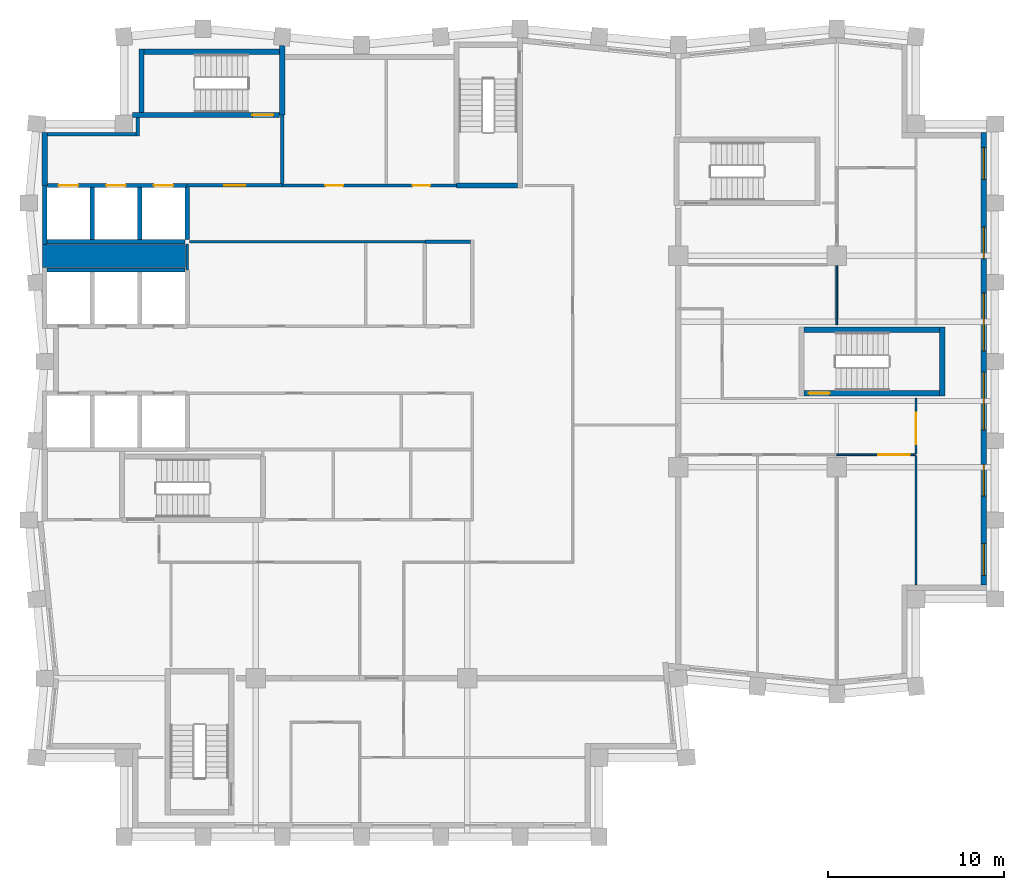
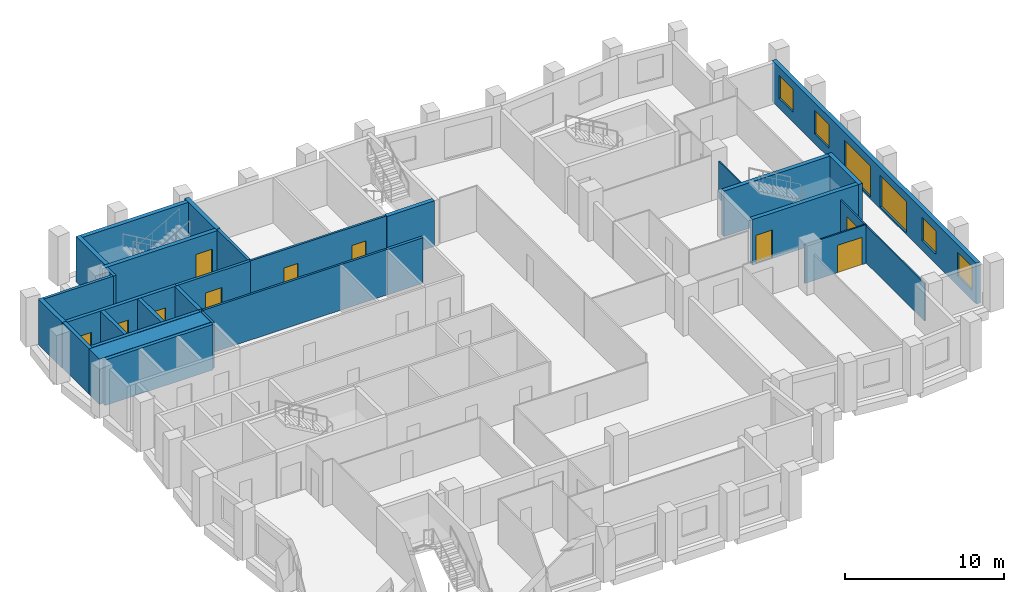
# One storey, part 5 of 8: 30 walls, 10 doors, 6 windows, 16 openings.
"""IFC4 building model written with IfcOpenShell, lengths in metres."""

from ifc_helpers import new_model, si_unit, direction, frame, frame_2d, origin, place, context, subcontext, project, spatial, rectangle, extrude, material, layer, layer_set, type_object, element, fill, save


model = new_model("IFC4")

# Units and contexts
model_context = context("Model", 3, precision=1e-05, world=origin(), true_north=direction((0.0, 1.0)))
body_context = subcontext(model_context, "Body", "Model", "MODEL_VIEW")
ifc_project = project(units=[si_unit("LENGTHUNIT", "METRE"), si_unit("AREAUNIT", "SQUARE_METRE"), si_unit("VOLUMEUNIT", "CUBIC_METRE"), si_unit("PLANEANGLEUNIT", "RADIAN"), si_unit("MASSUNIT", "GRAM", prefix="KILO")], contexts=[model_context])

# Site, building, storey
site_placement = place(None, origin())
site = spatial("IfcSite", under=ifc_project, at=site_placement, CompositionType="ELEMENT")
building_placement = place(site_placement, origin())
building = spatial("IfcBuilding", under=site, at=building_placement, Name="Brondeck Convention Tower", CompositionType="ELEMENT")
storey_placement = place(building_placement, frame((0.0, 0.0, 214.0)))
storey = spatial("IfcBuildingStorey", under=building, at=storey_placement, Name="L52", CompositionType="ELEMENT", Elevation=214.0)

# Walls
ifc_material_1 = material(Name="Concrete C50/60", Category="concrete")
ifc_layer_1 = layer(ifc_material_1, 0.300048828125)
ifc_layer_set_1 = layer_set([ifc_layer_1], Name="Core outer wall 300 Concrete C50/60")
wall_type_1 = type_object("IfcWallType", Name="Core outer wall 300 Concrete C50/60", PredefinedType="SHEAR", material=ifc_layer_set_1)
wall_1_placement = place(storey_placement, frame((0.0, 55.0, 0.0), z_axis=(0.0, 0.0, 1.0), x_axis=(0.0, 1.0, 0.0)))
element("IfcWall", 1, at=wall_1_placement, inside=storey, type_object=wall_type_1, Name="L52 core wall", PredefinedType="SHEAR", context=body_context, shape_type="SweptSolid", body=[
    extrude(rectangle(XDim=3.0, YDim=0.300048828125, at=frame_2d((1.5, 0.0))), origin(), (0.0, 0.0, 1.0), 3.5),
])
ifc_material_2 = material(Name="Fire-rated gypsum board partition")
ifc_layer_2 = layer(ifc_material_2, 0.14990234375)
ifc_layer_set_2 = layer_set([ifc_layer_2], Name="Core partition 150 EI 60")
wall_type_2 = type_object("IfcWallType", Name="Core partition 150 EI 60", PredefinedType="PARTITIONING", material=ifc_layer_set_2)
wall_2_placement = place(storey_placement, frame((8.22509765625, 51.800048828125, 0.0), z_axis=(0.0, 0.0, 1.0), x_axis=(1.0, 0.0, 0.0)))
element("IfcWall", 2, at=wall_2_placement, inside=storey, type_object=wall_type_2, Name="L52 core wall", PredefinedType="PARTITIONING", context=body_context, shape_type="SweptSolid", body=[
    extrude(rectangle(XDim=13.375, YDim=0.14990234375, at=frame_2d((6.6875, 0.0))), origin(), (0.0, 0.0, 1.0), 3.5),
])

# Wall, openings, doors
wall_3_placement = place(storey_placement, frame((13.5, 55.0, 0.0), z_axis=(0.0, 0.0, 1.0), x_axis=(1.0, 0.0, 0.0)))
wall_3 = element("IfcWall", 3, at=wall_3_placement, inside=storey, type_object=wall_type_2, Name="L52 core wall", PredefinedType="PARTITIONING", context=body_context, shape_type="SweptSolid", body=[
    extrude(rectangle(XDim=9.89990234375, YDim=0.14990234375, at=frame_2d((4.949951171875, 0.0))), origin(), (0.0, 0.0, 1.0), 3.5),
])
opening_1_placement = place(wall_3_placement, frame((2.449951171875, 0.0, 0.0)))
opening_1 = element("IfcOpeningElement", 4, at=opening_1_placement, cuts=wall_3, Name="Opening C29-11", PredefinedType="OPENING", context=body_context, shape_type="SweptSolid", body=[
    extrude(rectangle(XDim=1.0, YDim=2.10009765625, at=frame_2d((0.5, 1.050048828125))), frame((0.0, 0.0849609375, 0.0), z_axis=(0.0, -1.0, 0.0), x_axis=(1.0, 0.0, 0.0)), (0.0, 0.0, 1.0), 0.169921875),
])
opening_2_placement = place(wall_3_placement, frame((7.39990234375, 0.0, 0.0)))
opening_2 = element("IfcOpeningElement", 5, at=opening_2_placement, cuts=wall_3, Name="Opening C29-12", PredefinedType="OPENING", context=body_context, shape_type="SweptSolid", body=[
    extrude(rectangle(XDim=1.0, YDim=2.10009765625, at=frame_2d((0.5, 1.050048828125))), frame((0.0, 0.0849609375, 0.0), z_axis=(0.0, -1.0, 0.0), x_axis=(1.0, 0.0, 0.0)), (0.0, 0.0, 1.0), 0.169921875),
])
ifc_material_3 = material(Name="Steel fire door", Category="steel")
door_type_1 = type_object("IfcDoorType", Name="Room door 1000x2100 EI 60", OperationType="NOTDEFINED", PredefinedType="DOOR", material=ifc_material_3)
door_1_placement = place(opening_1_placement, origin())
door_1 = element("IfcDoor", 6, at=door_1_placement, inside=storey, type_object=door_type_1, Name="L52 Room door NE-1", OperationType="SINGLE_SWING_LEFT", OverallHeight=2.10009765625, OverallWidth=1.0, PredefinedType="DOOR", context=body_context, shape_type="SweptSolid", body=[
    extrude(rectangle(XDim=1.0, YDim=2.10009765625, at=frame_2d((0.5, 1.050048828125))), frame((0.0, 0.02490234375, 0.0), z_axis=(0.0, -1.0, 0.0), x_axis=(1.0, 0.0, 0.0)), (0.0, 0.0, 1.0), 0.050048828125),
])
fill(opening_1, door_1)
door_2_placement = place(opening_2_placement, origin())
door_2 = element("IfcDoor", 7, at=door_2_placement, inside=storey, type_object=door_type_1, Name="L52 Room door NE-2", OperationType="SINGLE_SWING_RIGHT", OverallHeight=2.10009765625, OverallWidth=1.0, PredefinedType="DOOR", context=body_context, shape_type="SweptSolid", body=[
    extrude(rectangle(XDim=1.0, YDim=2.10009765625, at=frame_2d((0.5, 1.050048828125))), frame((0.0, 0.02490234375, 0.0), z_axis=(0.0, -1.0, 0.0), x_axis=(1.0, 0.0, 0.0)), (0.0, 0.0, 1.0), 0.050048828125),
])
fill(opening_2, door_2)

# Walls
wall_4_placement = place(storey_placement, frame((8.10009765625, 50.199951171875, 0.0), z_axis=(0.0, 0.0, 1.0), x_axis=(0.0, 1.0, 0.0)))
element("IfcWall", 8, at=wall_4_placement, inside=storey, type_object=wall_type_2, Name="L52 core wall", PredefinedType="PARTITIONING", context=body_context, shape_type="SweptSolid", body=[
    extrude(rectangle(XDim=1.47509765625, YDim=0.14990234375, at=frame_2d((0.737548828125, 0.0))), origin(), (0.0, 0.0, 1.0), 3.5),
])
ifc_layer_3 = layer(ifc_material_1, 1.300048828125)
ifc_layer_set_3 = layer_set([ifc_layer_3], Name="Core shear wall 1300 Concrete C50/60")
wall_type_3 = type_object("IfcWallType", Name="Core shear wall 1300 Concrete C50/60", PredefinedType="SHEAR", material=ifc_layer_set_3)
wall_5_placement = place(storey_placement, frame((-0.125, 51.0, 0.0), z_axis=(0.0, 0.0, 1.0), x_axis=(1.0, 0.0, 0.0)))
element("IfcWall", 9, at=wall_5_placement, inside=storey, type_object=wall_type_3, Name="L52 core wall", PredefinedType="SHEAR", context=body_context, shape_type="SweptSolid", body=[
    extrude(rectangle(XDim=8.125, YDim=1.300048828125, at=frame_2d((4.0625, 0.0))), origin(), (0.0, 0.0, 1.0), 3.5),
])

# Wall, openings, windows
ifc_material_4 = material(Name="Precast concrete C50/60 bronze finish", Category="concrete")
ifc_layer_4 = layer(ifc_material_4, 0.070068359375, Name="Bronze precast facing")
ifc_material_5 = material(Name="Mineral wool")
ifc_layer_5 = layer(ifc_material_5, 0.159912109375, Name="Insulation")
ifc_material_6 = material(Name="Concrete C35/45", Category="concrete")
ifc_layer_6 = layer(ifc_material_6, 0.070068359375, Name="Backing")
ifc_layer_set_4 = layer_set([ifc_layer_4, ifc_layer_5, ifc_layer_6], Name="External infill wall, precast concrete C50/60 bronze facing")
wall_type_4 = type_object("IfcWallType", Name="External infill wall, precast concrete C50/60 bronze facing", PredefinedType="SOLIDWALL", material=ifc_layer_set_4)
wall_6_placement = place(storey_placement, frame((53.35009765625, 58.0, 0.0), z_axis=(0.0, 0.0, 1.0), x_axis=(0.0, -1.0, 0.0)))
wall_6 = element("IfcWall", 10, at=wall_6_placement, inside=storey, type_object=wall_type_4, Name="ENV-EW-L52-P2-A-E54-01", PredefinedType="SOLIDWALL", context=body_context, shape_type="SweptSolid", body=[
    extrude(rectangle(XDim=25.701904296875, YDim=0.300048828125, at=frame_2d((12.85107421875, 0.0))), origin(), (0.0, 0.0, 1.0), 3.14990234375),
])
opening_3_placement = place(wall_6_placement, frame((0.85009765625, 0.0, 0.75)))
opening_3 = element("IfcOpeningElement", 11, at=opening_3_placement, cuts=wall_6, Name="Opening W10", PredefinedType="OPENING", context=body_context, shape_type="SweptSolid", body=[
    extrude(rectangle(XDim=1.800048828125, YDim=1.800048828125, at=frame_2d((0.89990234375, 0.89990234375))), frame((0.0, 0.159912109375, 0.0), z_axis=(0.0, -1.0, 0.0), x_axis=(1.0, 0.0, 0.0)), (0.0, 0.0, 1.0), 0.320068359375),
])
opening_4_placement = place(wall_6_placement, frame((5.35009765625, 0.0, 0.75)))
opening_4 = element("IfcOpeningElement", 12, at=opening_4_placement, cuts=wall_6, Name="Opening W10", PredefinedType="OPENING", context=body_context, shape_type="SweptSolid", body=[
    extrude(rectangle(XDim=1.800048828125, YDim=1.800048828125, at=frame_2d((0.89990234375, 0.89990234375))), frame((0.0, 0.159912109375, 0.0), z_axis=(0.0, -1.0, 0.0), x_axis=(1.0, 0.0, 0.0)), (0.0, 0.0, 1.0), 0.320068359375),
])
opening_5_placement = place(wall_6_placement, frame((9.10009765625, 0.0, 0.14990234375)))
opening_5 = element("IfcOpeningElement", 13, at=opening_5_placement, cuts=wall_6, Name="Opening W9", PredefinedType="OPENING", context=body_context, shape_type="SweptSolid", body=[
    extrude(rectangle(XDim=3.300048828125, YDim=2.39990234375, at=frame_2d((1.64990234375, 1.199951171875))), frame((0.0, 0.159912109375, 0.0), z_axis=(0.0, -1.0, 0.0), x_axis=(1.0, 0.0, 0.0)), (0.0, 0.0, 1.0), 0.320068359375),
])
opening_6_placement = place(wall_6_placement, frame((13.60009765625, 0.0, 0.14990234375)))
opening_6 = element("IfcOpeningElement", 14, at=opening_6_placement, cuts=wall_6, Name="Opening W9", PredefinedType="OPENING", context=body_context, shape_type="SweptSolid", body=[
    extrude(rectangle(XDim=3.300048828125, YDim=2.39990234375, at=frame_2d((1.64990234375, 1.199951171875))), frame((0.0, 0.159912109375, 0.0), z_axis=(0.0, -1.0, 0.0), x_axis=(1.0, 0.0, 0.0)), (0.0, 0.0, 1.0), 0.320068359375),
])
opening_7_placement = place(wall_6_placement, frame((18.85009765625, 0.0, 0.75)))
opening_7 = element("IfcOpeningElement", 15, at=opening_7_placement, cuts=wall_6, Name="Opening W10", PredefinedType="OPENING", context=body_context, shape_type="SweptSolid", body=[
    extrude(rectangle(XDim=1.800048828125, YDim=1.800048828125, at=frame_2d((0.89990234375, 0.89990234375))), frame((0.0, 0.159912109375, 0.0), z_axis=(0.0, -1.0, 0.0), x_axis=(1.0, 0.0, 0.0)), (0.0, 0.0, 1.0), 0.320068359375),
])
opening_8_placement = place(wall_6_placement, frame((23.35009765625, 0.0, 0.75)))
opening_8 = element("IfcOpeningElement", 16, at=opening_8_placement, cuts=wall_6, Name="Opening W10", PredefinedType="OPENING", context=body_context, shape_type="SweptSolid", body=[
    extrude(rectangle(XDim=1.800048828125, YDim=1.800048828125, at=frame_2d((0.89990234375, 0.89990234375))), frame((0.0, 0.159912109375, 0.0), z_axis=(0.0, -1.0, 0.0), x_axis=(1.0, 0.0, 0.0)), (0.0, 0.0, 1.0), 0.320068359375),
])
ifc_material_7 = material(Name="Bronze tinted double glazing", Category="glass")
window_type_1 = type_object("IfcWindowType", Name="Glazed flute window, bronze tinted", PartitioningType="SINGLE_PANEL", PredefinedType="WINDOW", material=ifc_material_7)
window_1_placement = place(opening_5_placement, origin())
window_1 = element("IfcWindow", 17, at=window_1_placement, inside=storey, type_object=window_type_1, Name="ENV-WN-L52-P2-A-E54-04", OverallHeight=2.39990234375, OverallWidth=3.300048828125, PartitioningType="SINGLE_PANEL", PredefinedType="WINDOW", context=body_context, shape_type="SweptSolid", body=[
    extrude(rectangle(XDim=3.300048828125, YDim=2.39990234375, at=frame_2d((1.64990234375, 1.199951171875))), frame((0.0, 0.030029296875, 0.0), z_axis=(0.0, -1.0, 0.0), x_axis=(1.0, 0.0, 0.0)), (0.0, 0.0, 1.0), 0.06005859375),
])
fill(opening_5, window_1)
window_2_placement = place(opening_6_placement, origin())
window_2 = element("IfcWindow", 18, at=window_2_placement, inside=storey, type_object=window_type_1, Name="ENV-WN-L52-P2-A-E54-03", OverallHeight=2.39990234375, OverallWidth=3.300048828125, PartitioningType="SINGLE_PANEL", PredefinedType="WINDOW", context=body_context, shape_type="SweptSolid", body=[
    extrude(rectangle(XDim=3.300048828125, YDim=2.39990234375, at=frame_2d((1.64990234375, 1.199951171875))), frame((0.0, 0.030029296875, 0.0), z_axis=(0.0, -1.0, 0.0), x_axis=(1.0, 0.0, 0.0)), (0.0, 0.0, 1.0), 0.06005859375),
])
fill(opening_6, window_2)
window_type_2 = type_object("IfcWindowType", Name="Punched window, bronze tinted", PartitioningType="SINGLE_PANEL", PredefinedType="WINDOW", material=ifc_material_7)
window_3_placement = place(opening_3_placement, origin())
window_3 = element("IfcWindow", 19, at=window_3_placement, inside=storey, type_object=window_type_2, Name="ENV-WN-L52-P2-A-E54-06", OverallHeight=1.800048828125, OverallWidth=1.800048828125, PartitioningType="SINGLE_PANEL", PredefinedType="WINDOW", context=body_context, shape_type="SweptSolid", body=[
    extrude(rectangle(XDim=1.800048828125, YDim=1.800048828125, at=frame_2d((0.89990234375, 0.89990234375))), frame((0.0, 0.030029296875, 0.0), z_axis=(0.0, -1.0, 0.0), x_axis=(1.0, 0.0, 0.0)), (0.0, 0.0, 1.0), 0.06005859375),
])
fill(opening_3, window_3)
window_4_placement = place(opening_4_placement, origin())
window_4 = element("IfcWindow", 20, at=window_4_placement, inside=storey, type_object=window_type_2, Name="ENV-WN-L52-P2-A-E54-05", OverallHeight=1.800048828125, OverallWidth=1.800048828125, PartitioningType="SINGLE_PANEL", PredefinedType="WINDOW", context=body_context, shape_type="SweptSolid", body=[
    extrude(rectangle(XDim=1.800048828125, YDim=1.800048828125, at=frame_2d((0.89990234375, 0.89990234375))), frame((0.0, 0.030029296875, 0.0), z_axis=(0.0, -1.0, 0.0), x_axis=(1.0, 0.0, 0.0)), (0.0, 0.0, 1.0), 0.06005859375),
])
fill(opening_4, window_4)
window_5_placement = place(opening_7_placement, origin())
window_5 = element("IfcWindow", 21, at=window_5_placement, inside=storey, type_object=window_type_2, Name="ENV-WN-L52-P2-A-E54-02", OverallHeight=1.800048828125, OverallWidth=1.800048828125, PartitioningType="SINGLE_PANEL", PredefinedType="WINDOW", context=body_context, shape_type="SweptSolid", body=[
    extrude(rectangle(XDim=1.800048828125, YDim=1.800048828125, at=frame_2d((0.89990234375, 0.89990234375))), frame((0.0, 0.030029296875, 0.0), z_axis=(0.0, -1.0, 0.0), x_axis=(1.0, 0.0, 0.0)), (0.0, 0.0, 1.0), 0.06005859375),
])
fill(opening_7, window_5)
window_6_placement = place(opening_8_placement, origin())
window_6 = element("IfcWindow", 22, at=window_6_placement, inside=storey, type_object=window_type_2, Name="ENV-WN-L52-P2-A-E54-01", OverallHeight=1.800048828125, OverallWidth=1.800048828125, PartitioningType="SINGLE_PANEL", PredefinedType="WINDOW", context=body_context, shape_type="SweptSolid", body=[
    extrude(rectangle(XDim=1.800048828125, YDim=1.800048828125, at=frame_2d((0.89990234375, 0.89990234375))), frame((0.0, 0.030029296875, 0.0), z_axis=(0.0, -1.0, 0.0), x_axis=(1.0, 0.0, 0.0)), (0.0, 0.0, 1.0), 0.06005859375),
])
fill(opening_8, window_6)

# Wall, opening, door
ifc_layer_7 = layer(ifc_material_2, 0.199951171875)
ifc_layer_set_5 = layer_set([ifc_layer_7], Name="Firefighting lobby wall 200 EI 120")
wall_type_5 = type_object("IfcWallType", Name="Firefighting lobby wall 200 EI 120", PredefinedType="PARTITIONING", material=ifc_layer_set_5)
wall_7_placement = place(storey_placement, frame((8.10009765625, 55.0, 0.0), z_axis=(0.0, 0.0, 1.0), x_axis=(1.0, 0.0, 0.0)))
wall_7 = element("IfcWall", 23, at=wall_7_placement, inside=storey, type_object=wall_type_5, Name="L52 core wall", PredefinedType="PARTITIONING", context=body_context, shape_type="SweptSolid", body=[
    extrude(rectangle(XDim=5.39990234375, YDim=0.199951171875, at=frame_2d((2.699951171875, 0.0))), origin(), (0.0, 0.0, 1.0), 3.5),
])
opening_9_placement = place(wall_7_placement, frame((2.10009765625, 0.0, 0.0)))
opening_9 = element("IfcOpeningElement", 24, at=opening_9_placement, cuts=wall_7, Name="Opening C29-01", PredefinedType="OPENING", context=body_context, shape_type="SweptSolid", body=[
    extrude(rectangle(XDim=1.199951171875, YDim=2.199951171875, at=frame_2d((0.60009765625, 1.10009765625))), frame((0.0, 0.10986328125, 0.0), z_axis=(0.0, -1.0, 0.0), x_axis=(1.0, 0.0, 0.0)), (0.0, 0.0, 1.0), 0.219970703125),
])
door_type_2 = type_object("IfcDoorType", Name="Firefighting lobby door 1200x2200 EI 120", OperationType="NOTDEFINED", PredefinedType="DOOR", material=ifc_material_3)
door_3_placement = place(opening_9_placement, origin())
door_3 = element("IfcDoor", 25, at=door_3_placement, inside=storey, type_object=door_type_2, Name="L52 Firefighting lobby door FFL-1", OperationType="SINGLE_SWING_RIGHT", OverallHeight=2.199951171875, OverallWidth=1.199951171875, PredefinedType="DOOR", context=body_context, shape_type="SweptSolid", body=[
    extrude(rectangle(XDim=1.199951171875, YDim=2.199951171875, at=frame_2d((0.60009765625, 1.10009765625))), frame((0.0, 0.02490234375, 0.0), z_axis=(0.0, -1.0, 0.0), x_axis=(1.0, 0.0, 0.0)), (0.0, 0.0, 1.0), 0.050048828125),
])
fill(opening_9, door_3)

# Walls
wall_8_placement = place(storey_placement, frame((0.14990234375, 57.89990234375, 0.0), z_axis=(0.0, 0.0, 1.0), x_axis=(1.0, 0.0, 0.0)))
element("IfcWall", 26, at=wall_8_placement, inside=storey, type_object=wall_type_5, Name="L52 core wall", PredefinedType="PARTITIONING", context=body_context, shape_type="SweptSolid", body=[
    extrude(rectangle(XDim=5.050048828125, YDim=0.199951171875, at=frame_2d((2.52490234375, 0.0))), origin(), (0.0, 0.0, 1.0), 3.5),
])
wall_9_placement = place(storey_placement, frame((5.300048828125, 57.800048828125, 0.0), z_axis=(0.0, 0.0, 1.0), x_axis=(0.0, 1.0, 0.0)))
element("IfcWall", 27, at=wall_9_placement, inside=storey, type_object=wall_type_5, Name="L52 core wall", PredefinedType="PARTITIONING", context=body_context, shape_type="SweptSolid", body=[
    extrude(rectangle(XDim=1.050048828125, YDim=0.199951171875, at=frame_2d((0.52490234375, 0.0))), origin(), (0.0, 0.0, 1.0), 3.5),
])
wall_10_placement = place(storey_placement, frame((13.5, 55.10009765625, 0.0), z_axis=(0.0, 0.0, 1.0), x_axis=(0.0, 1.0, 0.0)))
element("IfcWall", 28, at=wall_10_placement, inside=storey, type_object=wall_type_5, Name="L52 core wall", PredefinedType="PARTITIONING", context=body_context, shape_type="SweptSolid", body=[
    extrude(rectangle(XDim=3.89990234375, YDim=0.199951171875, at=frame_2d((1.949951171875, 0.0))), origin(), (0.0, 0.0, 1.0), 3.5),
])
ifc_layer_8 = layer(ifc_material_1, 0.25)
ifc_layer_set_6 = layer_set([ifc_layer_8], Name="Lift shaft wall 250 Concrete C50/60")
wall_type_6 = type_object("IfcWallType", Name="Lift shaft wall 250 Concrete C50/60", PredefinedType="SHEAR", material=ifc_layer_set_6)
for number, where, z_axis, x_axis, name in (
    (29, (0.125, 50.199951171875, 0.0), (0.0, 0.0, 1.0), (1.0, 0.0, 0.0), "L52 core wall"),
    (30, (0.125, 51.800048828125, 0.0), (0.0, 0.0, 1.0), (1.0, 0.0, 0.0), "L52 core wall"),
):
    element("IfcWall", number, at=place(storey_placement, frame(where, z_axis=z_axis, x_axis=x_axis)), inside=storey, type_object=wall_type_6, Name=name, PredefinedType="SHEAR", context=body_context, shape_type="SweptSolid", body=[
        extrude(rectangle(XDim=7.85009765625, YDim=0.25, at=frame_2d((3.925048828125, 0.0))), origin(), (0.0, 0.0, 1.0), 3.5),
    ])

# Wall, openings, doors
wall_11_placement = place(storey_placement, frame((0.14990234375, 55.0, 0.0), z_axis=(0.0, 0.0, 1.0), x_axis=(1.0, 0.0, 0.0)))
wall_11 = element("IfcWall", 31, at=wall_11_placement, inside=storey, type_object=wall_type_6, Name="L52 core wall", PredefinedType="SHEAR", context=body_context, shape_type="SweptSolid", body=[
    extrude(rectangle(XDim=7.9501953125, YDim=0.25, at=frame_2d((3.97509765625, 0.0))), origin(), (0.0, 0.0, 1.0), 3.5),
])
opening_10_placement = place(wall_11_placement, frame((0.64990234375, 0.0, 0.0)))
opening_10 = element("IfcOpeningElement", 32, at=opening_10_placement, cuts=wall_11, Name="Opening C29-19", PredefinedType="OPENING", context=body_context, shape_type="SweptSolid", body=[
    extrude(rectangle(XDim=1.10009765625, YDim=2.10009765625, at=frame_2d((0.550048828125, 1.050048828125))), frame((0.0, 0.135009765625, 0.0), z_axis=(0.0, -1.0, 0.0), x_axis=(1.0, 0.0, 0.0)), (0.0, 0.0, 1.0), 0.27001953125),
])
opening_11_placement = place(wall_11_placement, frame((3.35009765625, 0.0, 0.0)))
opening_11 = element("IfcOpeningElement", 33, at=opening_11_placement, cuts=wall_11, Name="Opening C29-20", PredefinedType="OPENING", context=body_context, shape_type="SweptSolid", body=[
    extrude(rectangle(XDim=1.10009765625, YDim=2.10009765625, at=frame_2d((0.550048828125, 1.050048828125))), frame((0.0, 0.135009765625, 0.0), z_axis=(0.0, -1.0, 0.0), x_axis=(1.0, 0.0, 0.0)), (0.0, 0.0, 1.0), 0.27001953125),
])
opening_12_placement = place(wall_11_placement, frame((6.050048828125, 0.0, 0.0)))
opening_12 = element("IfcOpeningElement", 34, at=opening_12_placement, cuts=wall_11, Name="Opening C29-21", PredefinedType="OPENING", context=body_context, shape_type="SweptSolid", body=[
    extrude(rectangle(XDim=1.10009765625, YDim=2.10009765625, at=frame_2d((0.550048828125, 1.050048828125))), frame((0.0, 0.135009765625, 0.0), z_axis=(0.0, -1.0, 0.0), x_axis=(1.0, 0.0, 0.0)), (0.0, 0.0, 1.0), 0.27001953125),
])
ifc_material_8 = material(Name="Stainless steel lift door", Category="steel")
door_type_3 = type_object("IfcDoorType", Name="Lift landing door 1100x2100 EI 180", OperationType="DOUBLE_DOOR_SLIDING", PredefinedType="DOOR", material=ifc_material_8)
door_4_placement = place(opening_10_placement, origin())
door_4 = element("IfcDoor", 35, at=door_4_placement, inside=storey, type_object=door_type_3, Name="L52 Lift landing door FF1", OperationType="DOUBLE_DOOR_SLIDING", OverallHeight=2.10009765625, OverallWidth=1.10009765625, PredefinedType="DOOR", context=body_context, shape_type="SweptSolid", body=[
    extrude(rectangle(XDim=1.10009765625, YDim=2.10009765625, at=frame_2d((0.550048828125, 1.050048828125))), frame((0.0, 0.02490234375, 0.0), z_axis=(0.0, -1.0, 0.0), x_axis=(1.0, 0.0, 0.0)), (0.0, 0.0, 1.0), 0.050048828125),
])
fill(opening_10, door_4)
door_5_placement = place(opening_11_placement, origin())
door_5 = element("IfcDoor", 36, at=door_5_placement, inside=storey, type_object=door_type_3, Name="L52 Lift landing door FF2", OperationType="DOUBLE_DOOR_SLIDING", OverallHeight=2.10009765625, OverallWidth=1.10009765625, PredefinedType="DOOR", context=body_context, shape_type="SweptSolid", body=[
    extrude(rectangle(XDim=1.10009765625, YDim=2.10009765625, at=frame_2d((0.550048828125, 1.050048828125))), frame((0.0, 0.02490234375, 0.0), z_axis=(0.0, -1.0, 0.0), x_axis=(1.0, 0.0, 0.0)), (0.0, 0.0, 1.0), 0.050048828125),
])
fill(opening_11, door_5)
door_6_placement = place(opening_12_placement, origin())
door_6 = element("IfcDoor", 37, at=door_6_placement, inside=storey, type_object=door_type_3, Name="L52 Lift landing door FF3", OperationType="DOUBLE_DOOR_SLIDING", OverallHeight=2.10009765625, OverallWidth=1.10009765625, PredefinedType="DOOR", context=body_context, shape_type="SweptSolid", body=[
    extrude(rectangle(XDim=1.10009765625, YDim=2.10009765625, at=frame_2d((0.550048828125, 1.050048828125))), frame((0.0, 0.02490234375, 0.0), z_axis=(0.0, -1.0, 0.0), x_axis=(1.0, 0.0, 0.0)), (0.0, 0.0, 1.0), 0.050048828125),
])
fill(opening_12, door_6)

# Walls
wall_12_placement = place(storey_placement, frame((0.0, 51.64990234375, 0.0), z_axis=(0.0, 0.0, 1.0), x_axis=(0.0, 1.0, 0.0)))
element("IfcWall", 38, at=wall_12_placement, inside=storey, type_object=wall_type_6, Name="L52 core wall", PredefinedType="SHEAR", context=body_context, shape_type="SweptSolid", body=[
    extrude(rectangle(XDim=3.35009765625, YDim=0.25, at=frame_2d((1.675048828125, 0.0))), origin(), (0.0, 0.0, 1.0), 3.5),
])
for number, where, z_axis, x_axis, name in (
    (39, (2.699951171875, 51.925048828125, 0.0), (0.0, 0.0, 1.0), (0.0, 1.0, 0.0), "L52 core wall"),
    (40, (5.39990234375, 51.925048828125, 0.0), (0.0, 0.0, 1.0), (0.0, 1.0, 0.0), "L52 core wall"),
    (41, (8.10009765625, 51.925048828125, 0.0), (0.0, 0.0, 1.0), (0.0, 1.0, 0.0), "L52 core wall"),
):
    element("IfcWall", number, at=place(storey_placement, frame(where, z_axis=z_axis, x_axis=x_axis)), inside=storey, type_object=wall_type_6, Name=name, PredefinedType="SHEAR", context=body_context, shape_type="SweptSolid", body=[
        extrude(rectangle(XDim=2.949951171875, YDim=0.25, at=frame_2d((1.47509765625, 0.0))), origin(), (0.0, 0.0, 1.0), 3.5),
    ])
ifc_layer_9 = layer(ifc_material_2, 0.199951171875)
ifc_layer_set_7 = layer_set([ifc_layer_9], Name="Riser wall 200 EI 120")
wall_type_7 = type_object("IfcWallType", Name="Riser wall 200 EI 120", PredefinedType="PARTITIONING", material=ifc_layer_set_7)
wall_13_placement = place(storey_placement, frame((21.60009765625, 51.800048828125, 0.0), z_axis=(0.0, 0.0, 1.0), x_axis=(1.0, 0.0, 0.0)))
element("IfcWall", 42, at=wall_13_placement, inside=storey, type_object=wall_type_7, Name="L52 core wall", PredefinedType="PARTITIONING", context=body_context, shape_type="SweptSolid", body=[
    extrude(rectangle(XDim=2.599853515625, YDim=0.199951171875, at=frame_2d((1.2998046875, 0.0))), origin(), (0.0, 0.0, 1.0), 3.5),
])
ifc_material_9 = material(Name="Gypsum board partition on steel studs", Category="steel")
ifc_layer_10 = layer(ifc_material_9, 0.10009765625)
ifc_layer_set_8 = layer_set([ifc_layer_10], Name="Room partition 100")
wall_type_8 = type_object("IfcWallType", Name="Room partition 100", PredefinedType="PARTITIONING", material=ifc_layer_set_8)
wall_14_placement = place(storey_placement, frame((49.5, 32.320068359375, 0.0), z_axis=(0.0, 0.0, 1.0), x_axis=(0.0, 1.0, 0.0)))
element("IfcWall", 43, at=wall_14_placement, inside=storey, type_object=wall_type_8, Name="FLR-L52-W023", PredefinedType="PARTITIONING", context=body_context, shape_type="SweptSolid", body=[
    extrude(rectangle(XDim=7.329833984375, YDim=0.10009765625, at=frame_2d((3.6650390625, 0.0))), origin(), (0.0, 0.0, 1.0), 2.8798828125),
])

# Wall, opening, door
wall_15_placement = place(storey_placement, frame((49.449951171875, 39.699951171875, 0.0), z_axis=(0.0, 0.0, 1.0), x_axis=(-1.0, 0.0, 0.0)))
wall_15 = element("IfcWall", 44, at=wall_15_placement, inside=storey, type_object=wall_type_8, Name="FLR-L52-W034", PredefinedType="PARTITIONING", context=body_context, shape_type="SweptSolid", body=[
    extrude(rectangle(XDim=4.449951171875, YDim=0.10009765625, at=frame_2d((2.22509765625, 0.0))), origin(), (0.0, 0.0, 1.0), 2.97998046875),
])
opening_13_placement = place(wall_15_placement, frame((0.303955078125, 0.0, 0.0)))
opening_13 = element("IfcOpeningElement", 45, at=opening_13_placement, cuts=wall_15, Name="Opening OF-L-006", PredefinedType="OPENING", context=body_context, shape_type="SweptSolid", body=[
    extrude(rectangle(XDim=1.800048828125, YDim=2.10009765625, at=frame_2d((0.89990234375, 1.050048828125))), frame((0.0, 0.06005859375, 0.0), z_axis=(0.0, -1.0, 0.0), x_axis=(1.0, 0.0, 0.0)), (0.0, 0.0, 1.0), 0.1201171875),
])
ifc_material_10 = material(Name="Glazed timber double door", Category="wood")
door_type_4 = type_object("IfcDoorType", Name="Double door 1800", OperationType="DOUBLE_DOOR_SINGLE_SWING", PredefinedType="DOOR", material=ifc_material_10)
door_7_placement = place(opening_13_placement, origin())
door_7 = element("IfcDoor", 46, at=door_7_placement, inside=storey, type_object=door_type_4, Name="Door OF-L-006", OperationType="DOUBLE_DOOR_SINGLE_SWING", OverallHeight=2.10009765625, OverallWidth=1.800048828125, PredefinedType="DOOR", context=body_context, shape_type="SweptSolid", body=[
    extrude(rectangle(XDim=1.800048828125, YDim=2.10009765625, at=frame_2d((0.89990234375, 1.050048828125))), frame((0.0, 0.02490234375, 0.0), z_axis=(0.0, -1.0, 0.0), x_axis=(1.0, 0.0, 0.0)), (0.0, 0.0, 1.0), 0.050048828125),
])
fill(opening_13, door_7)

wall_16_placement = place(storey_placement, frame((49.5, 42.89990234375, 0.0), z_axis=(0.0, 0.0, 1.0), x_axis=(0.0, -1.0, 0.0)))
wall_16 = element("IfcWall", 47, at=wall_16_placement, inside=storey, type_object=wall_type_8, Name="FLR-L52-W040", PredefinedType="PARTITIONING", context=body_context, shape_type="SweptSolid", body=[
    extrude(rectangle(XDim=3.14990234375, YDim=0.10009765625, at=frame_2d((1.574951171875, 0.0))), origin(), (0.0, 0.0, 1.0), 2.8798828125),
])
opening_14_placement = place(wall_16_placement, frame((0.800048828125, 0.0, 0.0)))
opening_14 = element("IfcOpeningElement", 48, at=opening_14_placement, cuts=wall_16, Name="Opening OF-L-003", PredefinedType="OPENING", context=body_context, shape_type="SweptSolid", body=[
    extrude(rectangle(XDim=1.800048828125, YDim=2.10009765625, at=frame_2d((0.89990234375, 1.050048828125))), frame((0.0, 0.06005859375, 0.0), z_axis=(0.0, -1.0, 0.0), x_axis=(1.0, 0.0, 0.0)), (0.0, 0.0, 1.0), 0.1201171875),
])
door_8_placement = place(opening_14_placement, origin())
door_8 = element("IfcDoor", 49, at=door_8_placement, inside=storey, type_object=door_type_4, Name="Door OF-L-003", OperationType="DOUBLE_DOOR_SINGLE_SWING", OverallHeight=2.10009765625, OverallWidth=1.800048828125, PredefinedType="DOOR", context=body_context, shape_type="SweptSolid", body=[
    extrude(rectangle(XDim=1.800048828125, YDim=2.10009765625, at=frame_2d((0.89990234375, 1.050048828125))), frame((0.0, 0.02490234375, 0.0), z_axis=(0.0, -1.0, 0.0), x_axis=(1.0, 0.0, 0.0)), (0.0, 0.0, 1.0), 0.050048828125),
])
fill(opening_14, door_8)

# Wall
wall_17_placement = place(storey_placement, frame((45.0, 50.445068359375, 0.0), z_axis=(0.0, 0.0, 1.0), x_axis=(0.0, -1.0, 0.0)))
element("IfcWall", 50, at=wall_17_placement, inside=storey, type_object=wall_type_8, Name="FLR-L52-W045", PredefinedType="PARTITIONING", context=body_context, shape_type="SweptSolid", body=[
    extrude(rectangle(XDim=3.344970703125, YDim=0.10009765625, at=frame_2d((1.67236328125, 0.0))), origin(), (0.0, 0.0, 1.0), 2.8798828125),
])

# Wall, opening, door
ifc_layer_11 = layer(ifc_material_1, 0.300048828125)
ifc_layer_set_9 = layer_set([ifc_layer_11], Name="Stair enclosure wall 300 Concrete C50/60")
wall_type_9 = type_object("IfcWallType", Name="Stair enclosure wall 300 Concrete C50/60", PredefinedType="SHEAR", material=ifc_layer_set_9)
wall_18_placement = place(storey_placement, frame((43.14990234375, 43.199951171875, 0.0), z_axis=(0.0, 0.0, 1.0), x_axis=(1.0, 0.0, 0.0)))
wall_18 = element("IfcWall", 51, at=wall_18_placement, inside=storey, type_object=wall_type_9, Name="L52 core wall", PredefinedType="SHEAR", context=body_context, shape_type="SweptSolid", body=[
    extrude(rectangle(XDim=7.7001953125, YDim=0.300048828125, at=frame_2d((3.85009765625, 0.0))), origin(), (0.0, 0.0, 1.0), 3.5),
])
opening_15_placement = place(wall_18_placement, frame((0.25, 0.0, 0.0)))
opening_15 = element("IfcOpeningElement", 52, at=opening_15_placement, cuts=wall_18, Name="Opening C29-17", PredefinedType="OPENING", context=body_context, shape_type="SweptSolid", body=[
    extrude(rectangle(XDim=1.199951171875, YDim=2.199951171875, at=frame_2d((0.60009765625, 1.10009765625))), frame((0.0, 0.159912109375, 0.0), z_axis=(0.0, -1.0, 0.0), x_axis=(1.0, 0.0, 0.0)), (0.0, 0.0, 1.0), 0.320068359375),
])
door_type_5 = type_object("IfcDoorType", Name="Stair door 1200x2200 EI 90", OperationType="NOTDEFINED", PredefinedType="DOOR", material=ifc_material_3)
door_9_placement = place(opening_15_placement, origin())
door_9 = element("IfcDoor", 53, at=door_9_placement, inside=storey, type_object=door_type_5, Name="L52 Stair door ST-AF", OperationType="SINGLE_SWING_RIGHT", OverallHeight=2.199951171875, OverallWidth=1.199951171875, PredefinedType="DOOR", context=body_context, shape_type="SweptSolid", body=[
    extrude(rectangle(XDim=1.199951171875, YDim=2.199951171875, at=frame_2d((0.60009765625, 1.10009765625))), frame((0.0, 0.02490234375, 0.0), z_axis=(0.0, -1.0, 0.0), x_axis=(1.0, 0.0, 0.0)), (0.0, 0.0, 1.0), 0.050048828125),
])
fill(opening_15, door_9)

# Walls
wall_19_placement = place(storey_placement, frame((43.14990234375, 46.800048828125, 0.0), z_axis=(0.0, 0.0, 1.0), x_axis=(1.0, 0.0, 0.0)))
element("IfcWall", 54, at=wall_19_placement, inside=storey, type_object=wall_type_9, Name="L52 core wall", PredefinedType="SHEAR", context=body_context, shape_type="SweptSolid", body=[
    extrude(rectangle(XDim=7.7001953125, YDim=0.300048828125, at=frame_2d((3.85009765625, 0.0))), origin(), (0.0, 0.0, 1.0), 3.5),
])
wall_20_placement = place(storey_placement, frame((23.39990234375, 55.0, 0.0), z_axis=(0.0, 0.0, 1.0), x_axis=(1.0, 0.0, 0.0)))
element("IfcWall", 55, at=wall_20_placement, inside=storey, type_object=wall_type_9, Name="L52 core wall", PredefinedType="SHEAR", context=body_context, shape_type="SweptSolid", body=[
    extrude(rectangle(XDim=3.4501953125, YDim=0.300048828125, at=frame_2d((1.72509765625, 0.0))), origin(), (0.0, 0.0, 1.0), 3.5),
])

# Wall, opening, door
wall_21_placement = place(storey_placement, frame((5.0, 59.0, 0.0), z_axis=(0.0, 0.0, 1.0), x_axis=(1.0, 0.0, 0.0)))
wall_21 = element("IfcWall", 56, at=wall_21_placement, inside=storey, type_object=wall_type_9, Name="L52 core wall", PredefinedType="SHEAR", context=body_context, shape_type="SweptSolid", body=[
    extrude(rectangle(XDim=8.35009765625, YDim=0.300048828125, at=frame_2d((4.175048828125, 0.0))), origin(), (0.0, 0.0, 1.0), 3.5),
])
opening_16_placement = place(wall_21_placement, frame((6.800048828125, 0.0, 0.0)))
opening_16 = element("IfcOpeningElement", 57, at=opening_16_placement, cuts=wall_21, Name="Opening C29-15", PredefinedType="OPENING", context=body_context, shape_type="SweptSolid", body=[
    extrude(rectangle(XDim=1.199951171875, YDim=2.199951171875, at=frame_2d((0.60009765625, 1.10009765625))), frame((0.0, 0.159912109375, 0.0), z_axis=(0.0, -1.0, 0.0), x_axis=(1.0, 0.0, 0.0)), (0.0, 0.0, 1.0), 0.320068359375),
])
door_type_6 = type_object("IfcDoorType", Name="Stair door 1200x2200 EI 120", OperationType="NOTDEFINED", PredefinedType="DOOR", material=ifc_material_3)
door_10_placement = place(opening_16_placement, origin())
door_10 = element("IfcDoor", 58, at=door_10_placement, inside=storey, type_object=door_type_6, Name="L52 Stair door ST-3", OperationType="SINGLE_SWING_RIGHT", OverallHeight=2.199951171875, OverallWidth=1.199951171875, PredefinedType="DOOR", context=body_context, shape_type="SweptSolid", body=[
    extrude(rectangle(XDim=1.199951171875, YDim=2.199951171875, at=frame_2d((0.60009765625, 1.10009765625))), frame((0.0, 0.02490234375, 0.0), z_axis=(0.0, -1.0, 0.0), x_axis=(1.0, 0.0, 0.0)), (0.0, 0.0, 1.0), 0.050048828125),
])
fill(opening_16, door_10)

# Walls
wall_22_placement = place(storey_placement, frame((5.64990234375, 62.60009765625, 0.0), z_axis=(0.0, 0.0, 1.0), x_axis=(1.0, 0.0, 0.0)))
element("IfcWall", 59, at=wall_22_placement, inside=storey, type_object=wall_type_9, Name="L52 core wall", PredefinedType="SHEAR", context=body_context, shape_type="SweptSolid", body=[
    extrude(rectangle(XDim=7.7001953125, YDim=0.300048828125, at=frame_2d((3.85009765625, 0.0))), origin(), (0.0, 0.0, 1.0), 3.5),
])
wall_23_placement = place(storey_placement, frame((5.5, 59.14990234375, 0.0), z_axis=(0.0, 0.0, 1.0), x_axis=(0.0, 1.0, 0.0)))
element("IfcWall", 60, at=wall_23_placement, inside=storey, type_object=wall_type_9, Name="L52 core wall", PredefinedType="SHEAR", context=body_context, shape_type="SweptSolid", body=[
    extrude(rectangle(XDim=3.60009765625, YDim=0.300048828125, at=frame_2d((1.800048828125, 0.0))), origin(), (0.0, 0.0, 1.0), 3.5),
])
wall_24_placement = place(storey_placement, frame((13.5, 59.0, 0.0), z_axis=(0.0, 0.0, 1.0), x_axis=(0.0, 1.0, 0.0)))
element("IfcWall", 61, at=wall_24_placement, inside=storey, type_object=wall_type_9, Name="L52 core wall", PredefinedType="SHEAR", context=body_context, shape_type="SweptSolid", body=[
    extrude(rectangle(XDim=3.947509765625, YDim=0.300048828125, at=frame_2d((1.9736328125, 0.0))), origin(), (0.0, 0.0, 1.0), 3.5),
])
wall_25_placement = place(storey_placement, frame((51.0, 43.050048828125, 0.0), z_axis=(0.0, 0.0, 1.0), x_axis=(0.0, 1.0, 0.0)))
element("IfcWall", 62, at=wall_25_placement, inside=storey, type_object=wall_type_9, Name="L52 core wall", PredefinedType="SHEAR", context=body_context, shape_type="SweptSolid", body=[
    extrude(rectangle(XDim=3.89990234375, YDim=0.300048828125, at=frame_2d((1.949951171875, 0.0))), origin(), (0.0, 0.0, 1.0), 3.5),
])

save(model, "model.ifc")
